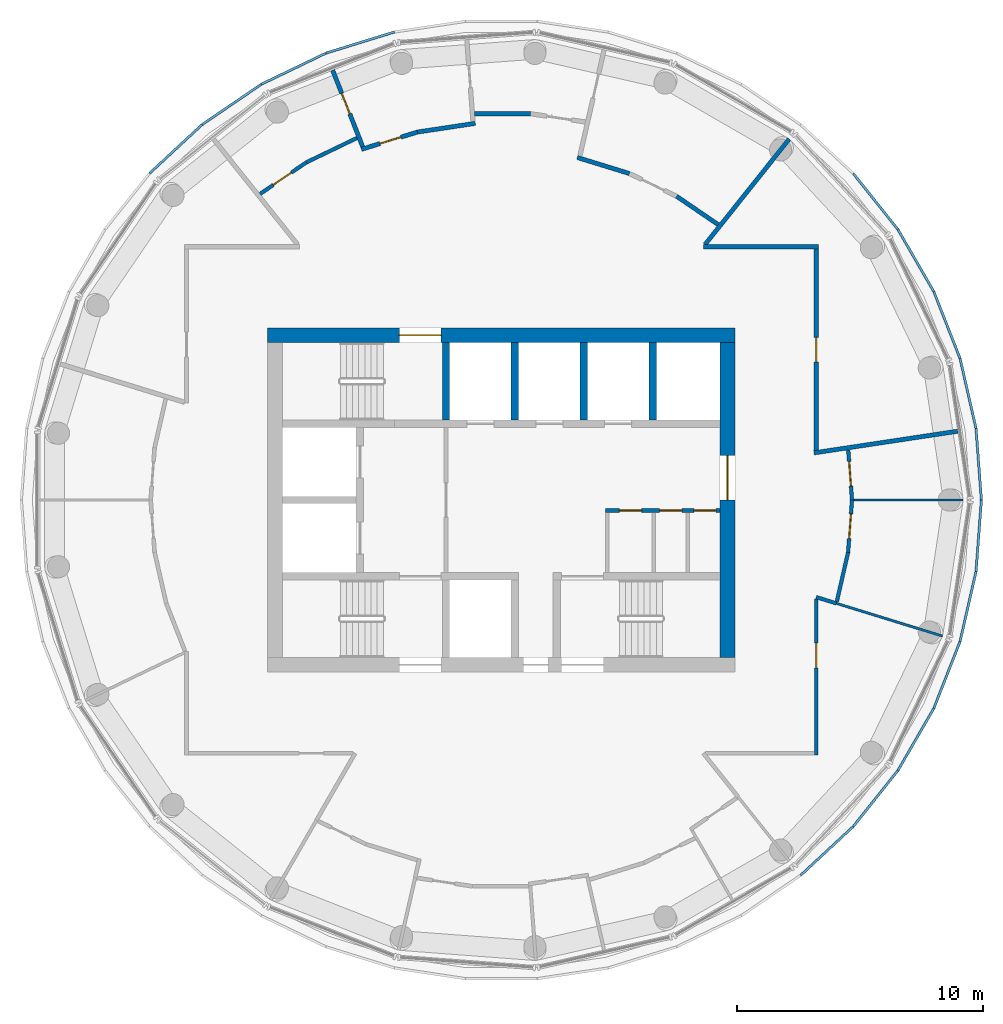
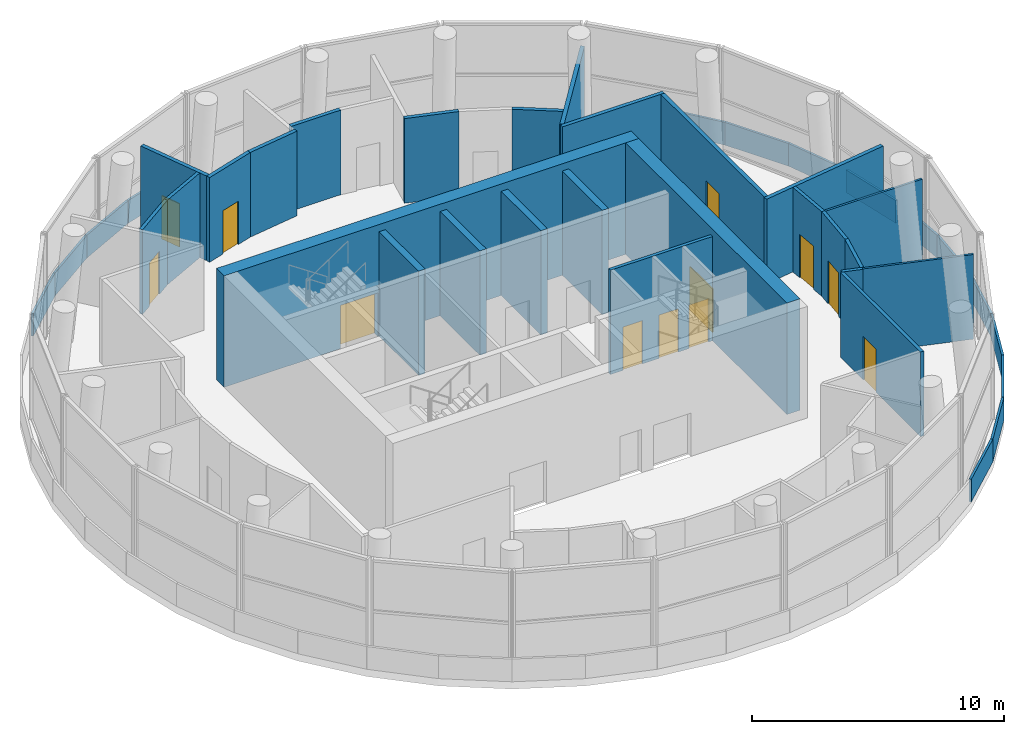
# One storey, part 6 of 10: 41 walls, 12 doors, 12 openings.
"""IFC4 building model written with IfcOpenShell, lengths in metres."""

from ifc_helpers import new_model, si_unit, direction, frame, frame_2d, origin, place, context, subcontext, project, spatial, rectangle, extrude, material, layer, layer_set, type_object, element, fill, save


model = new_model("IFC4")

# Units and contexts
model_context = context("Model", 3, precision=1e-05, world=origin(), true_north=direction((0.0, 1.0)))
body_context = subcontext(model_context, "Body", "Model", "MODEL_VIEW")
ifc_project = project(units=[si_unit("LENGTHUNIT", "METRE"), si_unit("AREAUNIT", "SQUARE_METRE"), si_unit("VOLUMEUNIT", "CUBIC_METRE"), si_unit("PLANEANGLEUNIT", "RADIAN"), si_unit("MASSUNIT", "GRAM", prefix="KILO")], contexts=[model_context])

# Site, building, storey
site_placement = place(None, origin())
site = spatial("IfcSite", under=ifc_project, at=site_placement, CompositionType="ELEMENT")
building_placement = place(site_placement, origin())
building = spatial("IfcBuilding", under=site, at=building_placement, Name="Tracery Tower", CompositionType="ELEMENT")
storey_placement = place(building_placement, frame((0.0, 0.0, 336.0)))
storey = spatial("IfcBuildingStorey", under=building, at=storey_placement, Name="L87", CompositionType="ELEMENT", Elevation=336.0)

# Wall, opening, door
ifc_material_1 = material(Name="Plasterboard on steel studs", Category="steel")
ifc_layer_1 = layer(ifc_material_1, 0.175048828125)
ifc_layer_set_1 = layer_set([ifc_layer_1], Name="Compartment partition 175")
wall_type_1 = type_object("IfcWallType", Name="Compartment partition 175", PredefinedType="PARTITIONING", material=ifc_layer_set_1)
wall_1_placement = place(storey_placement, frame((-5.63818359375, 14.365478515625, 0.0), z_axis=(0.0, 0.0, 1.0), x_axis=(-0.365281356645, 0.930897164292, 0.0)))
wall_1 = element("IfcWall", 1, at=wall_1_placement, inside=storey, type_object=wall_type_1, Name="Compartment partition 175", PredefinedType="PARTITIONING", context=body_context, shape_type="SweptSolid", body=[
    extrude(rectangle(XDim=3.339111328125, YDim=0.175048828125, at=frame_2d((1.66943359375, 0.0))), origin(), (0.0, 0.0, 1.0), 4.10009765625),
])
opening_1_placement = place(wall_1_placement, frame((1.429931640625, 0.0, 0.0)))
opening_1 = element("IfcOpeningElement", 2, at=opening_1_placement, cuts=wall_1, Name="Opening SB-L87-08", PredefinedType="OPENING", context=body_context, shape_type="SweptSolid", body=[
    extrude(rectangle(XDim=0.89990234375, YDim=2.10009765625, at=frame_2d((0.449951171875, 1.050048828125))), frame((0.0, 0.08740234375, 0.0), z_axis=(0.0, -1.0, 0.0), x_axis=(1.0, 0.0, 0.0)), (0.0, 0.0, 1.0), 0.175048828125),
])
ifc_material_2 = material(Name="Steel fire door", Category="steel")
door_type_1 = type_object("IfcDoorType", Name="Store door 900", OperationType="NOTDEFINED", PredefinedType="DOOR", material=ifc_material_2)
door_1_placement = place(opening_1_placement, origin())
door_1 = element("IfcDoor", 3, at=door_1_placement, inside=storey, type_object=door_type_1, Name="Store door 900", OperationType="SINGLE_SWING_RIGHT", OverallHeight=2.10009765625, OverallWidth=0.89990234375, PredefinedType="DOOR", context=body_context, shape_type="SweptSolid", body=[
    extrude(rectangle(XDim=0.89990234375, YDim=2.10009765625, at=frame_2d((0.449951171875, 1.050048828125))), frame((0.0, 0.02490234375, 0.0), z_axis=(0.0, -1.0, 0.0), x_axis=(1.0, 0.0, 0.0)), (0.0, 0.0, 1.0), 0.050048828125),
])
fill(opening_1, door_1)

wall_2_placement = place(storey_placement, frame((-5.689697265625, 14.25830078125, 0.0), z_axis=(0.0, 0.0, 1.0), x_axis=(0.955559254026, 0.294799104553, 0.0)))
wall_2 = element("IfcWall", 4, at=wall_2_placement, inside=storey, type_object=wall_type_1, Name="Compartment partition 175", PredefinedType="PARTITIONING", context=body_context, shape_type="SweptSolid", body=[
    extrude(rectangle(XDim=2.380859375, YDim=0.175048828125, at=frame_2d((1.1904296875, 0.0))), origin(), (0.0, 0.0, 1.0), 4.10009765625),
])
opening_2_placement = place(wall_2_placement, frame((0.7841796875, 0.0, 0.0)))
opening_2 = element("IfcOpeningElement", 5, at=opening_2_placement, cuts=wall_2, Name="Opening SB-L87-04", PredefinedType="OPENING", context=body_context, shape_type="SweptSolid", body=[
    extrude(rectangle(XDim=0.89990234375, YDim=2.10009765625, at=frame_2d((0.449951171875, 1.050048828125))), frame((0.0, 0.08740234375, 0.0), z_axis=(0.0, -1.0, 0.0), x_axis=(1.0, 0.0, 0.0)), (0.0, 0.0, 1.0), 0.175048828125),
])
door_2_placement = place(opening_2_placement, origin())
door_2 = element("IfcDoor", 6, at=door_2_placement, inside=storey, type_object=door_type_1, Name="Store door 900", OperationType="SINGLE_SWING_RIGHT", OverallHeight=2.10009765625, OverallWidth=0.89990234375, PredefinedType="DOOR", context=body_context, shape_type="SweptSolid", body=[
    extrude(rectangle(XDim=0.89990234375, YDim=2.10009765625, at=frame_2d((0.449951171875, 1.050048828125))), frame((0.0, 0.02490234375, 0.0), z_axis=(0.0, -1.0, 0.0), x_axis=(1.0, 0.0, 0.0)), (0.0, 0.0, 1.0), 0.050048828125),
])
fill(opening_2, door_2)

# Walls
wall_3_placement = place(storey_placement, frame((-1.060302734375, 15.31494140625, 0.0), z_axis=(0.0, 0.0, 1.0), x_axis=(-0.988837601627, -0.14899730739, 0.0)))
element("IfcWall", 7, at=wall_3_placement, inside=storey, type_object=wall_type_1, Name="Compartment partition 175", PredefinedType="PARTITIONING", context=body_context, shape_type="SweptSolid", body=[
    extrude(rectangle(XDim=2.380859375, YDim=0.175048828125, at=frame_2d((1.1904296875, 0.0))), origin(), (0.0, 0.0, 1.0), 4.10009765625),
])
wall_4_placement = place(storey_placement, frame((1.177001953125, 15.7080078125, 0.0), z_axis=(0.0, 0.0, 1.0), x_axis=(-1.0, 0.0, 0.0)))
element("IfcWall", 8, at=wall_4_placement, inside=storey, type_object=wall_type_1, Name="Compartment partition 175", PredefinedType="PARTITIONING", context=body_context, shape_type="SweptSolid", body=[
    extrude(rectangle(XDim=2.26318359375, YDim=0.175048828125, at=frame_2d((1.131591796875, 0.0))), origin(), (0.0, 0.0, 1.0), 4.10009765625),
])
wall_5_placement = place(storey_placement, frame((5.209228515625, 13.273193359375, 0.0), z_axis=(0.0, 0.0, 1.0), x_axis=(-0.95558367869, 0.294719923014, 0.0)))
element("IfcWall", 9, at=wall_5_placement, inside=storey, type_object=wall_type_1, Name="Compartment partition 175", PredefinedType="PARTITIONING", context=body_context, shape_type="SweptSolid", body=[
    extrude(rectangle(XDim=2.218505859375, YDim=0.175048828125, at=frame_2d((1.109375, 0.0))), origin(), (0.0, 0.0, 1.0), 4.10009765625),
])
wall_6_placement = place(storey_placement, frame((8.81494140625, 11.19921875, 0.0), z_axis=(0.0, 0.0, 1.0), x_axis=(-0.82624253409, 0.563314543448, 0.0)))
element("IfcWall", 10, at=wall_6_placement, inside=storey, type_object=wall_type_1, Name="Compartment partition 175", PredefinedType="PARTITIONING", context=body_context, shape_type="SweptSolid", body=[
    extrude(rectangle(XDim=2.0400390625, YDim=0.175048828125, at=frame_2d((1.02001953125, 0.0))), origin(), (0.0, 0.0, 1.0), 4.10009765625),
])
wall_7_placement = place(storey_placement, frame((11.703857421875, 14.676025390625, 0.0), z_axis=(0.0, 0.0, 1.0), x_axis=(-0.623505647703, -0.781818845567, 0.0)))
element("IfcWall", 11, at=wall_7_placement, inside=storey, type_object=wall_type_1, Name="Compartment partition 175", PredefinedType="PARTITIONING", context=body_context, shape_type="SweptSolid", body=[
    extrude(rectangle(XDim=5.4853515625, YDim=0.175048828125, at=frame_2d((2.74267578125, 0.0))), origin(), (0.0, 0.0, 1.0), 4.10009765625),
])

# Wall, opening, door
wall_8_placement = place(storey_placement, frame((12.800048828125, 10.21240234375, 0.0), z_axis=(0.0, 0.0, 1.0), x_axis=(0.0, -1.0, 0.0)))
wall_8 = element("IfcWall", 12, at=wall_8_placement, inside=storey, type_object=wall_type_1, Name="Compartment partition 175", PredefinedType="PARTITIONING", context=body_context, shape_type="SweptSolid", body=[
    extrude(rectangle(XDim=8.195556640625, YDim=0.175048828125, at=frame_2d((4.09765625, 0.0))), origin(), (0.0, 0.0, 1.0), 4.10009765625),
])
opening_3_placement = place(wall_8_placement, frame((3.597900390625, 0.0, 0.0)))
opening_3 = element("IfcOpeningElement", 13, at=opening_3_placement, cuts=wall_8, Name="Opening SB-L87-01", PredefinedType="OPENING", context=body_context, shape_type="SweptSolid", body=[
    extrude(rectangle(XDim=1.0, YDim=2.10009765625, at=frame_2d((0.5, 1.050048828125))), frame((0.0, 0.08740234375, 0.0), z_axis=(0.0, -1.0, 0.0), x_axis=(1.0, 0.0, 0.0)), (0.0, 0.0, 1.0), 0.175048828125),
])
ifc_material_3 = material(Name="Timber door leaf", Category="wood")
door_type_2 = type_object("IfcDoorType", Name="Public room door 1000", OperationType="NOTDEFINED", PredefinedType="DOOR", material=ifc_material_3)
door_3_placement = place(opening_3_placement, origin())
door_3 = element("IfcDoor", 14, at=door_3_placement, inside=storey, type_object=door_type_2, Name="Public room door 1000", OperationType="SINGLE_SWING_RIGHT", OverallHeight=2.10009765625, OverallWidth=1.0, PredefinedType="DOOR", context=body_context, shape_type="SweptSolid", body=[
    extrude(rectangle(XDim=1.0, YDim=2.10009765625, at=frame_2d((0.5, 1.050048828125))), frame((0.0, 0.02490234375, 0.0), z_axis=(0.0, -1.0, 0.0), x_axis=(1.0, 0.0, 0.0)), (0.0, 0.0, 1.0), 0.050048828125),
])
fill(opening_3, door_3)

# Walls
wall_9_placement = place(storey_placement, frame((12.887451171875, 10.300048828125, 0.0), z_axis=(0.0, 0.0, 1.0), x_axis=(-1.0, 0.0, 0.0)))
element("IfcWall", 15, at=wall_9_placement, inside=storey, type_object=wall_type_1, Name="Compartment partition 175", PredefinedType="PARTITIONING", context=body_context, shape_type="SweptSolid", body=[
    extrude(rectangle(XDim=4.67333984375, YDim=0.175048828125, at=frame_2d((2.336669921875, 0.0))), origin(), (0.0, 0.0, 1.0), 4.10009765625),
])
wall_10_placement = place(storey_placement, frame((18.561767578125, 2.797607421875, 0.0), z_axis=(0.0, 0.0, 1.0), x_axis=(-0.988834690785, -0.149016624243, 0.0)))
element("IfcWall", 16, at=wall_10_placement, inside=storey, type_object=wall_type_1, Name="Compartment partition 175", PredefinedType="PARTITIONING", context=body_context, shape_type="SweptSolid", body=[
    extrude(rectangle(XDim=5.914306640625, YDim=0.175048828125, at=frame_2d((2.95703125, 0.0))), origin(), (0.0, 0.0, 1.0), 4.10009765625),
])

# Wall, openings, doors
ifc_material_4 = material(Name="Plasterboard on steel studs", Category="steel")
ifc_layer_2 = layer(ifc_material_4, 0.14990234375)
ifc_layer_set_2 = layer_set([ifc_layer_2], Name="Core room partition 150")
wall_type_2 = type_object("IfcWallType", Name="Core room partition 150", PredefinedType="SOLIDWALL", material=ifc_layer_set_2)
wall_11_placement = place(storey_placement, frame((4.22509765625, -0.425048828125, 0.0), z_axis=(0.0, 0.0, 1.0), x_axis=(1.0, 0.0, 0.0)))
wall_11 = element("IfcWall", 17, at=wall_11_placement, inside=storey, type_object=wall_type_2, Name="L87 slot N", PredefinedType="SOLIDWALL", context=body_context, shape_type="SweptSolid", body=[
    extrude(rectangle(XDim=4.6748046875, YDim=0.14990234375, at=frame_2d((2.33740234375, 0.0))), origin(), (0.0, 0.0, 1.0), 5.050048828125),
])
opening_4_placement = place(wall_11_placement, frame((0.574951171875, 0.0, 0.0)))
opening_4 = element("IfcOpeningElement", 18, at=opening_4_placement, cuts=wall_11, Name="Opening KD22", PredefinedType="OPENING", context=body_context, shape_type="SweptSolid", body=[
    extrude(rectangle(XDim=0.89990234375, YDim=2.10009765625, at=frame_2d((0.449951171875, 1.050048828125))), frame((0.0, 0.074951171875, 0.0), z_axis=(0.0, -1.0, 0.0), x_axis=(1.0, 0.0, 0.0)), (0.0, 0.0, 1.0), 0.14990234375),
])
opening_5_placement = place(wall_11_placement, frame((2.21240234375, 0.0, 0.0)))
opening_5 = element("IfcOpeningElement", 19, at=opening_5_placement, cuts=wall_11, Name="Opening KD26", PredefinedType="OPENING", context=body_context, shape_type="SweptSolid", body=[
    extrude(rectangle(XDim=0.89990234375, YDim=2.10009765625, at=frame_2d((0.449951171875, 1.050048828125))), frame((0.0, 0.074951171875, 0.0), z_axis=(0.0, -1.0, 0.0), x_axis=(1.0, 0.0, 0.0)), (0.0, 0.0, 1.0), 0.14990234375),
])
opening_6_placement = place(wall_11_placement, frame((3.60009765625, 0.0, 0.0)))
opening_6 = element("IfcOpeningElement", 20, at=opening_6_placement, cuts=wall_11, Name="Opening KD27", PredefinedType="OPENING", context=body_context, shape_type="SweptSolid", body=[
    extrude(rectangle(XDim=0.89990234375, YDim=2.10009765625, at=frame_2d((0.449951171875, 1.050048828125))), frame((0.0, 0.074951171875, 0.0), z_axis=(0.0, -1.0, 0.0), x_axis=(1.0, 0.0, 0.0)), (0.0, 0.0, 1.0), 0.14990234375),
])
ifc_material_5 = material(Name="Timber door leaf", Category="wood")
door_type_3 = type_object("IfcDoorType", Name="Core WC door 900", OperationType="NOTDEFINED", PredefinedType="DOOR", material=ifc_material_5)
door_4_placement = place(opening_4_placement, origin())
door_4 = element("IfcDoor", 21, at=door_4_placement, inside=storey, type_object=door_type_3, Name="Core door", OperationType="SINGLE_SWING_RIGHT", OverallHeight=2.10009765625, OverallWidth=0.89990234375, PredefinedType="DOOR", context=body_context, shape_type="SweptSolid", body=[
    extrude(rectangle(XDim=0.89990234375, YDim=2.10009765625, at=frame_2d((0.449951171875, 1.050048828125))), frame((0.0, 0.02490234375, 0.0), z_axis=(0.0, -1.0, 0.0), x_axis=(1.0, 0.0, 0.0)), (0.0, 0.0, 1.0), 0.050048828125),
])
fill(opening_4, door_4)
ifc_material_6 = material(Name="Timber door leaf", Category="wood")
door_type_4 = type_object("IfcDoorType", Name="Core store door 900", OperationType="NOTDEFINED", PredefinedType="DOOR", material=ifc_material_6)
door_5_placement = place(opening_5_placement, origin())
door_5 = element("IfcDoor", 22, at=door_5_placement, inside=storey, type_object=door_type_4, Name="Core door", OperationType="SINGLE_SWING_LEFT", OverallHeight=2.10009765625, OverallWidth=0.89990234375, PredefinedType="DOOR", context=body_context, shape_type="SweptSolid", body=[
    extrude(rectangle(XDim=0.89990234375, YDim=2.10009765625, at=frame_2d((0.449951171875, 1.050048828125))), frame((0.0, 0.02490234375, 0.0), z_axis=(0.0, -1.0, 0.0), x_axis=(1.0, 0.0, 0.0)), (0.0, 0.0, 1.0), 0.050048828125),
])
fill(opening_5, door_5)
door_6_placement = place(opening_6_placement, origin())
door_6 = element("IfcDoor", 23, at=door_6_placement, inside=storey, type_object=door_type_4, Name="Core door", OperationType="SINGLE_SWING_RIGHT", OverallHeight=2.10009765625, OverallWidth=0.89990234375, PredefinedType="DOOR", context=body_context, shape_type="SweptSolid", body=[
    extrude(rectangle(XDim=0.89990234375, YDim=2.10009765625, at=frame_2d((0.449951171875, 1.050048828125))), frame((0.0, 0.02490234375, 0.0), z_axis=(0.0, -1.0, 0.0), x_axis=(1.0, 0.0, 0.0)), (0.0, 0.0, 1.0), 0.050048828125),
])
fill(opening_6, door_6)

# Wall, opening, door
ifc_material_7 = material(Name="Concrete C40/50", Category="concrete")
ifc_layer_3 = layer(ifc_material_7, 0.60009765625)
ifc_layer_set_3 = layer_set([ifc_layer_3], Name="Core wall 600 C40")
wall_type_3 = type_object("IfcWallType", Name="Core wall 600 C40", PredefinedType="SOLIDWALL", material=ifc_layer_set_3)
wall_12_placement = place(storey_placement, frame((-9.5, 6.699951171875, 0.0), z_axis=(0.0, 0.0, 1.0), x_axis=(1.0, 0.0, 0.0)))
wall_12 = element("IfcWall", 24, at=wall_12_placement, inside=storey, type_object=wall_type_3, Name="L87 outer N", PredefinedType="SOLIDWALL", context=body_context, shape_type="SweptSolid", body=[
    extrude(rectangle(XDim=19.0, YDim=0.60009765625, at=frame_2d((9.5, 0.0))), origin(), (0.0, 0.0, 1.0), 5.39990234375),
])
opening_7_placement = place(wall_12_placement, frame((5.35009765625, 0.0, 0.0)))
opening_7 = element("IfcOpeningElement", 25, at=opening_7_placement, cuts=wall_12, Name="Opening KD3", PredefinedType="OPENING", context=body_context, shape_type="SweptSolid", body=[
    extrude(rectangle(XDim=1.699951171875, YDim=2.10009765625, at=frame_2d((0.85009765625, 1.050048828125))), frame((0.0, 0.300048828125, 0.0), z_axis=(0.0, -1.0, 0.0), x_axis=(1.0, 0.0, 0.0)), (0.0, 0.0, 1.0), 0.60009765625),
])
ifc_material_8 = material(Name="Steel fire door", Category="steel")
door_type_5 = type_object("IfcDoorType", Name="Core stair door 1700 double", OperationType="NOTDEFINED", PredefinedType="DOOR", material=ifc_material_8)
door_7_placement = place(opening_7_placement, origin())
door_7 = element("IfcDoor", 26, at=door_7_placement, inside=storey, type_object=door_type_5, Name="Stair door ST3 exit", OperationType="DOUBLE_DOOR_SINGLE_SWING", OverallHeight=2.10009765625, OverallWidth=1.699951171875, PredefinedType="DOOR", context=body_context, shape_type="SweptSolid", body=[
    extrude(rectangle(XDim=1.699951171875, YDim=2.10009765625, at=frame_2d((0.85009765625, 1.050048828125))), frame((0.0, 0.02490234375, 0.0), z_axis=(0.0, -1.0, 0.0), x_axis=(1.0, 0.0, 0.0)), (0.0, 0.0, 1.0), 0.050048828125),
])
fill(opening_7, door_7)

wall_13_placement = place(storey_placement, frame((9.199951171875, -6.39990234375, 0.0), z_axis=(0.0, 0.0, 1.0), x_axis=(0.0, 1.0, 0.0)))
wall_13 = element("IfcWall", 27, at=wall_13_placement, inside=storey, type_object=wall_type_3, Name="L87 outer E", PredefinedType="SOLIDWALL", context=body_context, shape_type="SweptSolid", body=[
    extrude(rectangle(XDim=12.7998046875, YDim=0.60009765625, at=frame_2d((6.39990234375, 0.0))), origin(), (0.0, 0.0, 1.0), 5.39990234375),
])
opening_8_placement = place(wall_13_placement, frame((6.39990234375, 0.0, 0.0)))
opening_8 = element("IfcOpeningElement", 28, at=opening_8_placement, cuts=wall_13, Name="Opening KD13", PredefinedType="OPENING", context=body_context, shape_type="SweptSolid", body=[
    extrude(rectangle(XDim=1.800048828125, YDim=2.10009765625, at=frame_2d((0.89990234375, 1.050048828125))), frame((0.0, 0.300048828125, 0.0), z_axis=(0.0, -1.0, 0.0), x_axis=(1.0, 0.0, 0.0)), (0.0, 0.0, 1.0), 0.60009765625),
])
ifc_material_9 = material(Name="Steel fire door", Category="steel")
door_type_6 = type_object("IfcDoorType", Name="Core exit door 1800 double", OperationType="NOTDEFINED", PredefinedType="DOOR", material=ifc_material_9)
door_8_placement = place(opening_8_placement, origin())
door_8 = element("IfcDoor", 29, at=door_8_placement, inside=storey, type_object=door_type_6, Name="Core exit door", OperationType="DOUBLE_DOOR_SINGLE_SWING", OverallHeight=2.10009765625, OverallWidth=1.800048828125, PredefinedType="DOOR", context=body_context, shape_type="SweptSolid", body=[
    extrude(rectangle(XDim=1.800048828125, YDim=2.10009765625, at=frame_2d((0.89990234375, 1.050048828125))), frame((0.0, 0.02490234375, 0.0), z_axis=(0.0, -1.0, 0.0), x_axis=(1.0, 0.0, 0.0)), (0.0, 0.0, 1.0), 0.050048828125),
])
fill(opening_8, door_8)

ifc_material_10 = material(Name="Plasterboard on steel studs", Category="steel")
ifc_layer_4 = layer(ifc_material_10, 0.14990234375)
ifc_layer_set_4 = layer_set([ifc_layer_4], Name="Corridor partition 150")
wall_type_4 = type_object("IfcWallType", Name="Corridor partition 150", PredefinedType="PARTITIONING", material=ifc_layer_set_4)
wall_14_placement = place(storey_placement, frame((-9.8095703125, 12.445556640625, 0.0), z_axis=(0.0, 0.0, 1.0), x_axis=(0.82627040272, 0.563273664917, 0.0)))
wall_14 = element("IfcWall", 30, at=wall_14_placement, inside=storey, type_object=wall_type_4, Name="Corridor partition 150", PredefinedType="PARTITIONING", context=body_context, shape_type="SweptSolid", body=[
    extrude(rectangle(XDim=2.279052734375, YDim=0.14990234375, at=frame_2d((1.1396484375, 0.0))), origin(), (0.0, 0.0, 1.0), 4.10009765625),
])
opening_9_placement = place(wall_14_placement, frame((0.644287109375, 0.0, 0.0)))
opening_9 = element("IfcOpeningElement", 31, at=opening_9_placement, cuts=wall_14, Name="Opening SB-L87-05", PredefinedType="OPENING", context=body_context, shape_type="SweptSolid", body=[
    extrude(rectangle(XDim=0.89990234375, YDim=2.10009765625, at=frame_2d((0.449951171875, 1.050048828125))), frame((0.0, 0.074951171875, 0.0), z_axis=(0.0, -1.0, 0.0), x_axis=(1.0, 0.0, 0.0)), (0.0, 0.0, 1.0), 0.14990234375),
])
door_9_placement = place(opening_9_placement, origin())
door_9 = element("IfcDoor", 32, at=door_9_placement, inside=storey, type_object=door_type_1, Name="Store door 900", OperationType="SINGLE_SWING_RIGHT", OverallHeight=2.10009765625, OverallWidth=0.89990234375, PredefinedType="DOOR", context=body_context, shape_type="SweptSolid", body=[
    extrude(rectangle(XDim=0.89990234375, YDim=2.10009765625, at=frame_2d((0.449951171875, 1.050048828125))), frame((0.0, 0.02490234375, 0.0), z_axis=(0.0, -1.0, 0.0), x_axis=(1.0, 0.0, 0.0)), (0.0, 0.0, 1.0), 0.050048828125),
])
fill(opening_9, door_9)

# Wall
wall_15_placement = place(storey_placement, frame((-5.873291015625, 14.718017578125, 0.0), z_axis=(0.0, 0.0, 1.0), x_axis=(-0.900970649608, -0.433880039348, 0.0)))
element("IfcWall", 33, at=wall_15_placement, inside=storey, type_object=wall_type_4, Name="Corridor partition 150", PredefinedType="PARTITIONING", context=body_context, shape_type="SweptSolid", body=[
    extrude(rectangle(XDim=2.27880859375, YDim=0.14990234375, at=frame_2d((1.139404296875, 0.0))), origin(), (0.0, 0.0, 1.0), 4.10009765625),
])

# Wall, opening, door
wall_16_placement = place(storey_placement, frame((12.800048828125, -4.02685546875, 0.0), z_axis=(0.0, 0.0, 1.0), x_axis=(0.0, -1.0, 0.0)))
wall_16 = element("IfcWall", 34, at=wall_16_placement, inside=storey, type_object=wall_type_4, Name="Corridor partition 150", PredefinedType="PARTITIONING", context=body_context, shape_type="SweptSolid", body=[
    extrude(rectangle(XDim=6.34814453125, YDim=0.14990234375, at=frame_2d((3.174072265625, 0.0))), origin(), (0.0, 0.0, 1.0), 4.10009765625),
])
opening_10_placement = place(wall_16_placement, frame((1.79736328125, 0.0, 0.0)))
opening_10 = element("IfcOpeningElement", 35, at=opening_10_placement, cuts=wall_16, Name="Opening SB-L87-18", PredefinedType="OPENING", context=body_context, shape_type="SweptSolid", body=[
    extrude(rectangle(XDim=1.0, YDim=2.10009765625, at=frame_2d((0.5, 1.050048828125))), frame((0.0, 0.074951171875, 0.0), z_axis=(0.0, -1.0, 0.0), x_axis=(1.0, 0.0, 0.0)), (0.0, 0.0, 1.0), 0.14990234375),
])
door_10_placement = place(opening_10_placement, origin())
door_10 = element("IfcDoor", 36, at=door_10_placement, inside=storey, type_object=door_type_2, Name="Public room door 1000", OperationType="SINGLE_SWING_RIGHT", OverallHeight=2.10009765625, OverallWidth=1.0, PredefinedType="DOOR", context=body_context, shape_type="SweptSolid", body=[
    extrude(rectangle(XDim=1.0, YDim=2.10009765625, at=frame_2d((0.5, 1.050048828125))), frame((0.0, 0.02490234375, 0.0), z_axis=(0.0, -1.0, 0.0), x_axis=(1.0, 0.0, 0.0)), (0.0, 0.0, 1.0), 0.050048828125),
])
fill(opening_10, door_10)

# Walls
wall_17_placement = place(storey_placement, frame((13.625244140625, -4.202880859375, 0.0), z_axis=(0.0, 0.0, 1.0), x_axis=(-0.955540306273, 0.294860514628, 0.0)))
element("IfcWall", 37, at=wall_17_placement, inside=storey, type_object=wall_type_4, Name="Corridor partition 150", PredefinedType="PARTITIONING", context=body_context, shape_type="SweptSolid", body=[
    extrude(rectangle(XDim=0.863525390625, YDim=0.14990234375, at=frame_2d((0.431640625, 0.0))), origin(), (0.0, 0.0, 1.0), 4.10009765625),
])
wall_18_placement = place(storey_placement, frame((13.64208984375, -4.12939453125, 0.0), z_axis=(0.0, 0.0, 1.0), x_axis=(0.22256036544, 0.974918911364, 0.0)))
element("IfcWall", 38, at=wall_18_placement, inside=storey, type_object=wall_type_4, Name="Corridor partition 150", PredefinedType="PARTITIONING", context=body_context, shape_type="SweptSolid", body=[
    extrude(rectangle(XDim=2.0556640625, YDim=0.14990234375, at=frame_2d((1.02783203125, 0.0))), origin(), (0.0, 0.0, 1.0), 4.10009765625),
])

# Wall, opening, door
wall_19_placement = place(storey_placement, frame((14.2587890625, 0.0, 0.0), z_axis=(0.0, 0.0, 1.0), x_axis=(-0.074690272364, -0.99720678057, 0.0)))
wall_19 = element("IfcWall", 39, at=wall_19_placement, inside=storey, type_object=wall_type_4, Name="Corridor partition 150", PredefinedType="PARTITIONING", context=body_context, shape_type="SweptSolid", body=[
    extrude(rectangle(XDim=2.131103515625, YDim=0.14990234375, at=frame_2d((1.0654296875, 0.0))), origin(), (0.0, 0.0, 1.0), 4.10009765625),
])
opening_11_placement = place(wall_19_placement, frame((0.565673828125, 0.0, 0.0)))
opening_11 = element("IfcOpeningElement", 40, at=opening_11_placement, cuts=wall_19, Name="Opening SB-L87-19", PredefinedType="OPENING", context=body_context, shape_type="SweptSolid", body=[
    extrude(rectangle(XDim=1.0, YDim=2.10009765625, at=frame_2d((0.5, 1.050048828125))), frame((0.0, 0.074951171875, 0.0), z_axis=(0.0, -1.0, 0.0), x_axis=(1.0, 0.0, 0.0)), (0.0, 0.0, 1.0), 0.14990234375),
])
door_11_placement = place(opening_11_placement, origin())
door_11 = element("IfcDoor", 41, at=door_11_placement, inside=storey, type_object=door_type_2, Name="Public room door 1000", OperationType="SINGLE_SWING_RIGHT", OverallHeight=2.10009765625, OverallWidth=1.0, PredefinedType="DOOR", context=body_context, shape_type="SweptSolid", body=[
    extrude(rectangle(XDim=1.0, YDim=2.10009765625, at=frame_2d((0.5, 1.050048828125))), frame((0.0, 0.02490234375, 0.0), z_axis=(0.0, -1.0, 0.0), x_axis=(1.0, 0.0, 0.0)), (0.0, 0.0, 1.0), 0.050048828125),
])
fill(opening_11, door_11)

wall_20_placement = place(storey_placement, frame((14.106201171875, 2.034912109375, 0.0), z_axis=(0.0, 0.0, 1.0), x_axis=(0.074775076869, -0.99720042513, 0.0)))
wall_20 = element("IfcWall", 42, at=wall_20_placement, inside=storey, type_object=wall_type_4, Name="Corridor partition 150", PredefinedType="PARTITIONING", context=body_context, shape_type="SweptSolid", body=[
    extrude(rectangle(XDim=2.04052734375, YDim=0.14990234375, at=frame_2d((1.020263671875, 0.0))), origin(), (0.0, 0.0, 1.0), 4.10009765625),
])
opening_12_placement = place(wall_20_placement, frame((0.47509765625, 0.0, 0.0)))
opening_12 = element("IfcOpeningElement", 43, at=opening_12_placement, cuts=wall_20, Name="Opening SB-L87-20", PredefinedType="OPENING", context=body_context, shape_type="SweptSolid", body=[
    extrude(rectangle(XDim=1.0, YDim=2.10009765625, at=frame_2d((0.5, 1.050048828125))), frame((0.0, 0.074951171875, 0.0), z_axis=(0.0, -1.0, 0.0), x_axis=(1.0, 0.0, 0.0)), (0.0, 0.0, 1.0), 0.14990234375),
])
door_12_placement = place(opening_12_placement, origin())
door_12 = element("IfcDoor", 44, at=door_12_placement, inside=storey, type_object=door_type_2, Name="Public room door 1000", OperationType="SINGLE_SWING_RIGHT", OverallHeight=2.10009765625, OverallWidth=1.0, PredefinedType="DOOR", context=body_context, shape_type="SweptSolid", body=[
    extrude(rectangle(XDim=1.0, YDim=2.10009765625, at=frame_2d((0.5, 1.050048828125))), frame((0.0, 0.02490234375, 0.0), z_axis=(0.0, -1.0, 0.0), x_axis=(1.0, 0.0, 0.0)), (0.0, 0.0, 1.0), 0.050048828125),
])
fill(opening_12, door_12)

# Walls
ifc_material_11 = material(Name="Tinted laminated glass", Category="glass")
ifc_layer_5 = layer(ifc_material_11, 0.10009765625)
ifc_layer_set_5 = layer_set([ifc_layer_5], Name="Crown ledge glass parapet 100")
wall_type_5 = type_object("IfcWallType", Name="Crown ledge glass parapet 100", PredefinedType="PARAPET", material=ifc_layer_set_5)
for number, where, z_axis, x_axis, name in (
    (45, (19.521728515625, 0.004638671875, 0.0), (0.0, 0.0, 1.0), (-0.074712731488, 0.997205098139, 0.0), "Crown ledge glass parapet L87 1"),
    (46, (19.302978515625, 2.914306640625, 0.0), (0.0, 0.0, 1.0), (-0.222553532192, 0.974920471274, 0.0), "Crown ledge glass parapet L87 2"),
    (47, (18.653076171875, 5.758544921875, 0.0), (0.0, 0.0, 1.0), (-0.365332892382, 0.930876940172, 0.0), "Crown ledge glass parapet L87 3"),
):
    element("IfcWall", number, at=place(storey_placement, frame(where, z_axis=z_axis, x_axis=x_axis)), inside=storey, type_object=wall_type_5, Name=name, PredefinedType="PARAPET", context=body_context, shape_type="SweptSolid", body=[
        extrude(rectangle(XDim=2.908203125, YDim=0.10009765625, at=frame_2d((1.4541015625, 0.0))), origin(), (0.0, 0.0, 1.0), 1.10009765625),
    ])
wall_21_placement = place(storey_placement, frame((17.58642578125, 8.474365234375, 0.0), z_axis=(0.0, 0.0, 1.0), x_axis=(-0.49996709, 0.866044403548, 0.0)))
element("IfcWall", 48, at=wall_21_placement, inside=storey, type_object=wall_type_5, Name="Crown ledge glass parapet L87 4", PredefinedType="PARAPET", context=body_context, shape_type="SweptSolid", body=[
    extrude(rectangle(XDim=2.908447265625, YDim=0.10009765625, at=frame_2d((1.4541015625, 0.0))), origin(), (0.0, 0.0, 1.0), 1.10009765625),
])
for number, where, z_axis, x_axis, name in (
    (49, (16.126953125, 11.0009765625, 0.0), (0.0, 0.0, 1.0), (-0.623496489725, 0.781826149026, 0.0), "Crown ledge glass parapet L87 5"),
    (50, (-4.3486328125, 19.03125, 0.0), (0.0, 0.0, 1.0), (-0.955577309812, -0.294740572323, 0.0), "Crown ledge glass parapet L87 13"),
    (51, (-7.136474609375, 18.17041015625, 0.0), (0.0, 0.0, 1.0), (-0.900993162802, -0.433833286626, 0.0), "Crown ledge glass parapet L87 14"),
):
    element("IfcWall", number, at=place(storey_placement, frame(where, z_axis=z_axis, x_axis=x_axis)), inside=storey, type_object=wall_type_5, Name=name, PredefinedType="PARAPET", context=body_context, shape_type="SweptSolid", body=[
        extrude(rectangle(XDim=2.908203125, YDim=0.10009765625, at=frame_2d((1.4541015625, 0.0))), origin(), (0.0, 0.0, 1.0), 1.10009765625),
    ])
wall_22_placement = place(storey_placement, frame((-9.764892578125, 16.90380859375, 0.0), z_axis=(0.0, 0.0, 1.0), x_axis=(-0.826271739983, -0.56327170327, 0.0)))
element("IfcWall", 52, at=wall_22_placement, inside=storey, type_object=wall_type_5, Name="Crown ledge glass parapet L87 15", PredefinedType="PARAPET", context=body_context, shape_type="SweptSolid", body=[
    extrude(rectangle(XDim=2.908447265625, YDim=0.10009765625, at=frame_2d((1.4541015625, 0.0))), origin(), (0.0, 0.0, 1.0), 1.10009765625),
])
for number, where, z_axis, x_axis, name in (
    (53, (-12.17529296875, 15.259765625, 0.0), (0.0, 0.0, 1.0), (-0.733014701813, -0.680212795327, 0.0), "Crown ledge glass parapet L87 16"),
    (54, (12.17529296875, -15.259765625, 0.0), (0.0, 0.0, 1.0), (0.733014701813, 0.680212795327, 0.0), "Crown ledge glass parapet L87 37"),
    (55, (14.313720703125, -13.274658203125, 0.0), (0.0, 0.0, 1.0), (0.623496489725, 0.781826149026, 0.0), "Crown ledge glass parapet L87 38"),
):
    element("IfcWall", number, at=place(storey_placement, frame(where, z_axis=z_axis, x_axis=x_axis)), inside=storey, type_object=wall_type_5, Name=name, PredefinedType="PARAPET", context=body_context, shape_type="SweptSolid", body=[
        extrude(rectangle(XDim=2.908203125, YDim=0.10009765625, at=frame_2d((1.4541015625, 0.0))), origin(), (0.0, 0.0, 1.0), 1.10009765625),
    ])
wall_23_placement = place(storey_placement, frame((16.13232421875, -10.9931640625, 0.0), z_axis=(0.0, 0.0, 1.0), x_axis=(0.49996709, 0.866044403548, 0.0)))
element("IfcWall", 56, at=wall_23_placement, inside=storey, type_object=wall_type_5, Name="Crown ledge glass parapet L87 39", PredefinedType="PARAPET", context=body_context, shape_type="SweptSolid", body=[
    extrude(rectangle(XDim=2.908447265625, YDim=0.10009765625, at=frame_2d((1.4541015625, 0.0))), origin(), (0.0, 0.0, 1.0), 1.10009765625),
])
for number, where, z_axis, x_axis, name in (
    (57, (17.590576171875, -8.4658203125, 0.0), (0.0, 0.0, 1.0), (0.365332892382, 0.930876940172, 0.0), "Crown ledge glass parapet L87 40"),
    (58, (18.65576171875, -5.74951171875, 0.0), (0.0, 0.0, 1.0), (0.222553532192, 0.974920471274, 0.0), "Crown ledge glass parapet L87 41"),
    (59, (19.304443359375, -2.90478515625, 0.0), (0.0, 0.0, 1.0), (0.074712731488, 0.997205098139, 0.0), "Crown ledge glass parapet L87 42"),
):
    element("IfcWall", number, at=place(storey_placement, frame(where, z_axis=z_axis, x_axis=x_axis)), inside=storey, type_object=wall_type_5, Name=name, PredefinedType="PARAPET", context=body_context, shape_type="SweptSolid", body=[
        extrude(rectangle(XDim=2.908203125, YDim=0.10009765625, at=frame_2d((1.4541015625, 0.0))), origin(), (0.0, 0.0, 1.0), 1.10009765625),
    ])
ifc_material_12 = material(Name="Concrete C40/50", Category="concrete")
ifc_layer_6 = layer(ifc_material_12, 0.300048828125)
ifc_layer_set_6 = layer_set([ifc_layer_6], Name="Shaft wall 300 C40")
wall_type_6 = type_object("IfcWallType", Name="Shaft wall 300 C40", PredefinedType="SOLIDWALL", material=ifc_layer_set_6)
for number, where, z_axis, x_axis, name in (
    (60, (0.550048828125, 3.25, 0.0), (0.0, 0.0, 1.0), (0.0, 1.0, 0.0), "L87 HR sep 1"),
    (61, (3.35009765625, 3.25, 0.0), (0.0, 0.0, 1.0), (0.0, 1.0, 0.0), "L87 HR sep 2"),
    (62, (6.14990234375, 3.25, 0.0), (0.0, 0.0, 1.0), (0.0, 1.0, 0.0), "L87 HR sep 3"),
):
    element("IfcWall", number, at=place(storey_placement, frame(where, z_axis=z_axis, x_axis=x_axis)), inside=storey, type_object=wall_type_6, Name=name, PredefinedType="SOLIDWALL", context=body_context, shape_type="SweptSolid", body=[
        extrude(rectangle(XDim=3.14990234375, YDim=0.300048828125, at=frame_2d((1.574951171875, 0.0))), origin(), (0.0, 0.0, 1.0), 5.050048828125),
    ])
ifc_material_13 = material(Name="Concrete C40/50", Category="concrete")
ifc_layer_7 = layer(ifc_material_13, 0.300048828125)
ifc_layer_set_7 = layer_set([ifc_layer_7], Name="Stair wall 300 C40")
wall_type_7 = type_object("IfcWallType", Name="Stair wall 300 C40", PredefinedType="SOLIDWALL", material=ifc_layer_set_7)
wall_24_placement = place(storey_placement, frame((-2.25, 3.25, 0.0), z_axis=(0.0, 0.0, 1.0), x_axis=(0.0, 1.0, 0.0)))
element("IfcWall", 63, at=wall_24_placement, inside=storey, type_object=wall_type_7, Name="L87 ST3 E", PredefinedType="SOLIDWALL", context=body_context, shape_type="SweptSolid", body=[
    extrude(rectangle(XDim=3.14990234375, YDim=0.300048828125, at=frame_2d((1.574951171875, 0.0))), origin(), (0.0, 0.0, 1.0), 5.050048828125),
])
ifc_material_14 = material(Name="Plasterboard on steel studs", Category="steel")
ifc_layer_8 = layer(ifc_material_14, 0.10009765625)
ifc_layer_set_8 = layer_set([ifc_layer_8], Name="Stud partition 100")
wall_type_8 = type_object("IfcWallType", Name="Stud partition 100", PredefinedType="PARTITIONING", material=ifc_layer_set_8)
wall_25_placement = place(storey_placement, frame((17.9375, -5.532958984375, 0.0), z_axis=(0.0, 0.0, 1.0), x_axis=(-0.955577589578, 0.29473966529, 0.0)))
element("IfcWall", 64, at=wall_25_placement, inside=storey, type_object=wall_type_8, Name="Stud partition 100", PredefinedType="PARTITIONING", context=body_context, shape_type="SweptSolid", body=[
    extrude(rectangle(XDim=4.5126953125, YDim=0.10009765625, at=frame_2d((2.25634765625, 0.0))), origin(), (0.0, 0.0, 1.0), 4.10009765625),
])
wall_26_placement = place(storey_placement, frame((18.771484375, 0.0, 0.0), z_axis=(0.0, 0.0, 1.0), x_axis=(-1.0, 0.0, 0.0)))
element("IfcWall", 65, at=wall_26_placement, inside=storey, type_object=wall_type_8, Name="Stud partition 100", PredefinedType="PARTITIONING", context=body_context, shape_type="SweptSolid", body=[
    extrude(rectangle(XDim=4.4375, YDim=0.10009765625, at=frame_2d((2.21875, 0.0))), origin(), (0.0, 0.0, 1.0), 4.10009765625),
])

save(model, "model.ifc")
